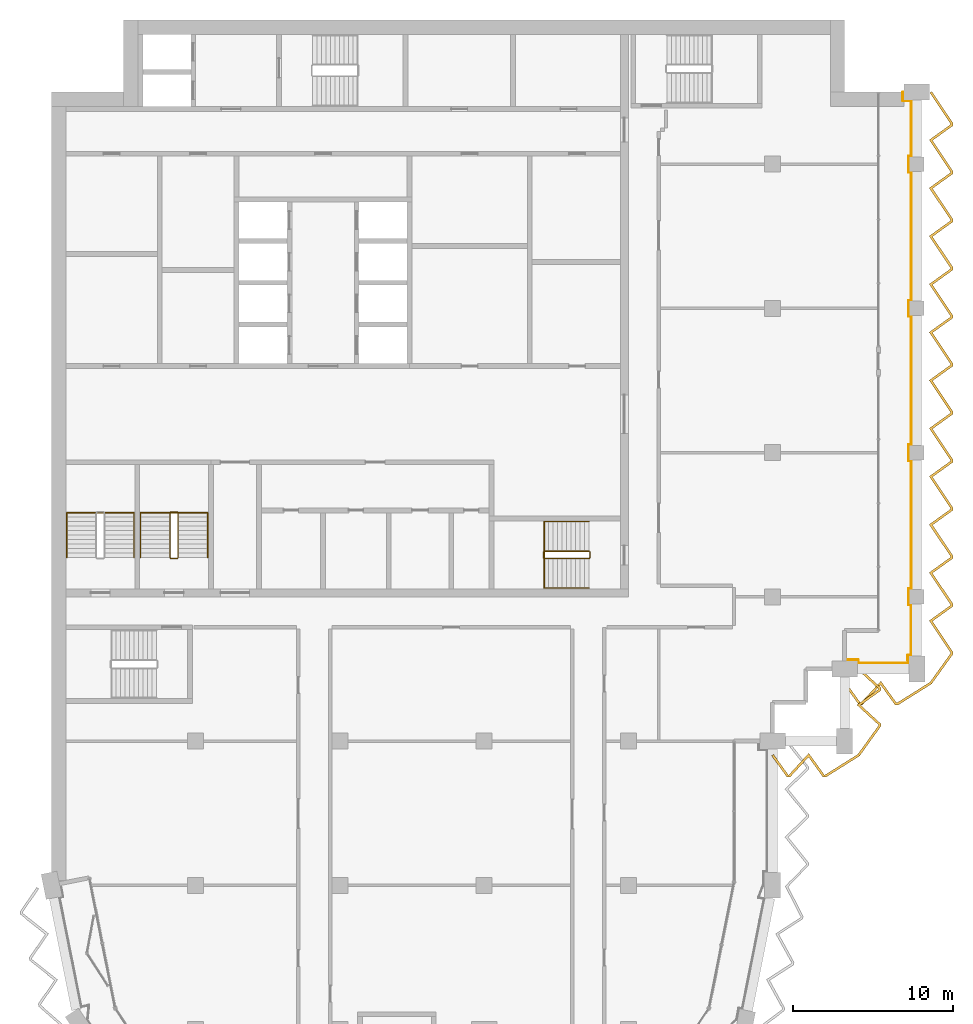
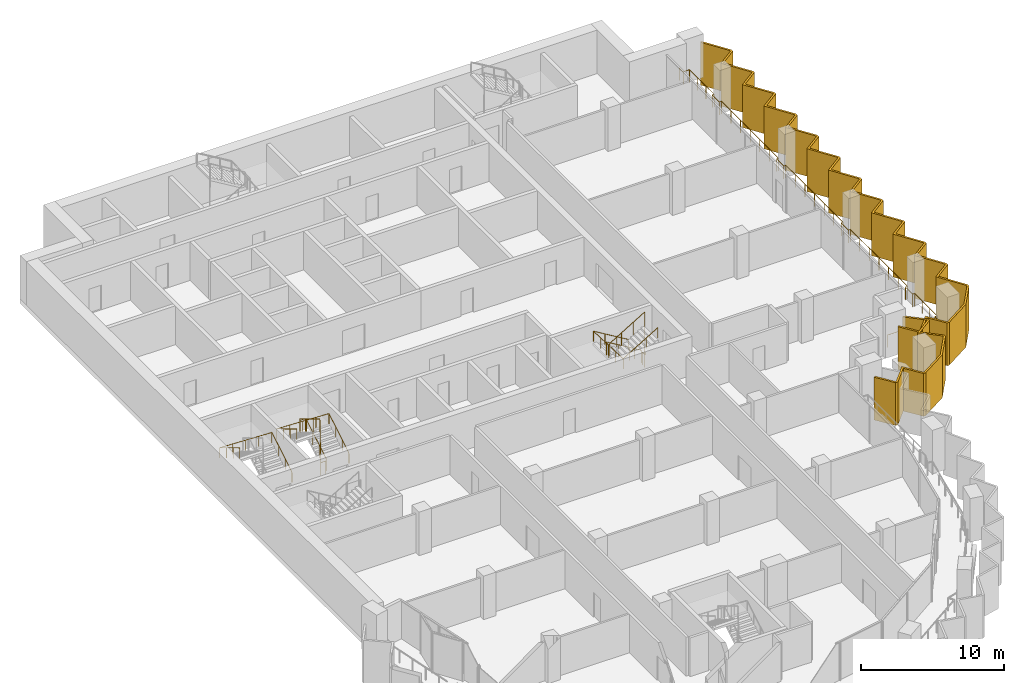
# One storey, part 16 of 17: 6 railings, 2 shading devices.
"""IFC4 building model written with IfcOpenShell, lengths in metres."""

from ifc_helpers import new_model, si_unit, direction, frame, origin, origin_2d, place, context, subcontext, project, spatial, polyline, circle, outline, extrude, material, layer, layer_set, type_object, element, save


model = new_model("IFC4")

# Units and contexts
model_context = context("Model", 3, precision=1e-05, world=origin(), true_north=direction((0.0, 1.0)))
body_context = subcontext(model_context, "Body", "Model", "MODEL_VIEW")
ifc_project = project(units=[si_unit("LENGTHUNIT", "METRE"), si_unit("AREAUNIT", "SQUARE_METRE"), si_unit("VOLUMEUNIT", "CUBIC_METRE"), si_unit("PLANEANGLEUNIT", "RADIAN"), si_unit("MASSUNIT", "GRAM", prefix="KILO")], contexts=[model_context])

# Site, building, storey
site_placement = place(None, origin())
site = spatial("IfcSite", under=ifc_project, at=site_placement, CompositionType="ELEMENT")
building_placement = place(site_placement, origin())
building = spatial("IfcBuilding", under=site, at=building_placement, Name="Hunhe Ridgeline Campus", CompositionType="ELEMENT")
storey_placement = place(building_placement, frame((0.0, 0.0, 268.800048828125)))
storey = spatial("IfcBuildingStorey", under=building, at=storey_placement, Name="L69", CompositionType="ELEMENT", Elevation=268.800048828125)

# Railing
ifc_material_1 = material(Name="Steel Q355", Category="steel")
railing_type_1 = type_object("IfcRailingType", Name="Loggia guard 1100 Steel Q355", PredefinedType="GUARDRAIL", material=ifc_material_1)
railing_1_placement = place(storey_placement, frame((49.5, 59.070068359375, 0.0)))
element("IfcRailing", 1, at=railing_1_placement, inside=storey, type_object=railing_type_1, Name="Loggia guard 2", PredefinedType="GUARDRAIL", context=body_context, shape_type="SweptSolid", body=[
    extrude(circle(Radius=0.02392578125, at=origin_2d()), frame((0.0, 0.0, 1.076171875), z_axis=(1.0, 0.0, 0.0), x_axis=(0.0, 1.0, 0.0)), (0.0, 0.0, 1.0), 0.85009765625),
    extrude(circle(Radius=0.02392578125, at=origin_2d()), frame((0.85009765625, 0.0, 1.076171875), z_axis=(0.0, -1.0, 0.0), x_axis=(1.0, 0.0, 0.0)), (0.0, 0.0, 1.0), 0.219970703125),
    extrude(circle(Radius=0.02392578125, at=origin_2d()), frame((0.85009765625, -0.219970703125, 1.076171875), z_axis=(1.0, 0.0, 0.0), x_axis=(0.0, 1.0, 0.0)), (0.0, 0.0, 1.0), 3.099853515625),
    extrude(circle(Radius=0.02392578125, at=origin_2d()), frame((3.949951171875, -0.219970703125, 1.076171875), z_axis=(0.0, 1.0, 0.0), x_axis=(-1.0, 0.0, 0.0)), (0.0, 0.0, 1.0), 0.52001953125),
    extrude(circle(Radius=0.02392578125, at=origin_2d()), frame((3.949951171875, 0.300048828125, 1.076171875), z_axis=(-0.066572895244, -0.99778156408, 0.0), x_axis=(0.99778156408, -0.066572895244, 0.0)), (0.0, 0.0, 1.0), 0.30078125),
    extrude(circle(Radius=0.02392578125, at=origin_2d()), frame((3.929931640625, 0.0, 1.076171875), z_axis=(0.0, 1.0, 0.0), x_axis=(-1.0, 0.0, 0.0)), (0.0, 0.0, 1.0), 0.280029296875),
    extrude(circle(Radius=0.02392578125, at=origin_2d()), frame((3.929931640625, 0.280029296875, 1.076171875), z_axis=(1.0, 0.0, 0.0), x_axis=(0.0, 1.0, 0.0)), (0.0, 0.0, 1.0), 0.219970703125),
    extrude(circle(Radius=0.02392578125, at=origin_2d()), frame((4.14990234375, 0.280029296875, 1.076171875), z_axis=(0.0, 1.0, 0.0), x_axis=(-1.0, 0.0, 0.0)), (0.0, 0.0, 1.0), 3.14990234375),
    extrude(circle(Radius=0.02392578125, at=origin_2d()), frame((4.14990234375, 3.429931640625, 1.076171875), z_axis=(-1.0, 0.0, 0.0), x_axis=(0.0, -1.0, 0.0)), (0.0, 0.0, 1.0), 0.169921875),
    extrude(circle(Radius=0.02392578125, at=origin_2d()), frame((3.97998046875, 3.429931640625, 1.076171875), z_axis=(0.0, 1.0, 0.0), x_axis=(-1.0, 0.0, 0.0)), (0.0, 0.0, 1.0), 1.0),
    extrude(circle(Radius=0.02392578125, at=origin_2d()), frame((3.97998046875, 4.429931640625, 1.076171875), z_axis=(1.0, 0.0, 0.0), x_axis=(0.0, 1.0, 0.0)), (0.0, 0.0, 1.0), 0.169921875),
    extrude(circle(Radius=0.02392578125, at=origin_2d()), frame((4.14990234375, 4.429931640625, 1.076171875), z_axis=(0.0, 1.0, 0.0), x_axis=(-1.0, 0.0, 0.0)), (0.0, 0.0, 1.0), 8.0),
    extrude(circle(Radius=0.02392578125, at=origin_2d()), frame((4.14990234375, 12.429931640625, 1.076171875), z_axis=(-1.0, 0.0, 0.0), x_axis=(0.0, -1.0, 0.0)), (0.0, 0.0, 1.0), 0.169921875),
    extrude(circle(Radius=0.02392578125, at=origin_2d()), frame((3.97998046875, 12.429931640625, 1.076171875), z_axis=(0.0, 1.0, 0.0), x_axis=(-1.0, 0.0, 0.0)), (0.0, 0.0, 1.0), 1.0),
    extrude(circle(Radius=0.02392578125, at=origin_2d()), frame((3.97998046875, 13.429931640625, 1.076171875), z_axis=(1.0, 0.0, 0.0), x_axis=(0.0, 1.0, 0.0)), (0.0, 0.0, 1.0), 0.169921875),
    extrude(circle(Radius=0.02392578125, at=origin_2d()), frame((4.14990234375, 13.429931640625, 1.076171875), z_axis=(0.0, 1.0, 0.0), x_axis=(-1.0, 0.0, 0.0)), (0.0, 0.0, 1.0), 8.0),
    extrude(circle(Radius=0.02392578125, at=origin_2d()), frame((4.14990234375, 21.429931640625, 1.076171875), z_axis=(-1.0, 0.0, 0.0), x_axis=(0.0, -1.0, 0.0)), (0.0, 0.0, 1.0), 0.169921875),
    extrude(circle(Radius=0.02392578125, at=origin_2d()), frame((3.97998046875, 21.429931640625, 1.076171875), z_axis=(0.0, 1.0, 0.0), x_axis=(-1.0, 0.0, 0.0)), (0.0, 0.0, 1.0), 1.0),
    extrude(circle(Radius=0.02392578125, at=origin_2d()), frame((3.97998046875, 22.429931640625, 1.076171875), z_axis=(1.0, 0.0, 0.0), x_axis=(0.0, 1.0, 0.0)), (0.0, 0.0, 1.0), 0.169921875),
    extrude(circle(Radius=0.02392578125, at=origin_2d()), frame((4.14990234375, 22.429931640625, 1.076171875), z_axis=(0.0, 1.0, 0.0), x_axis=(-1.0, 0.0, 0.0)), (0.0, 0.0, 1.0), 8.0),
    extrude(circle(Radius=0.02392578125, at=origin_2d()), frame((4.14990234375, 30.429931640625, 1.076171875), z_axis=(-1.0, 0.0, 0.0), x_axis=(0.0, -1.0, 0.0)), (0.0, 0.0, 1.0), 0.169921875),
    extrude(circle(Radius=0.02392578125, at=origin_2d()), frame((3.97998046875, 30.429931640625, 1.076171875), z_axis=(0.0, 1.0, 0.0), x_axis=(-1.0, 0.0, 0.0)), (0.0, 0.0, 1.0), 1.0),
    extrude(circle(Radius=0.02392578125, at=origin_2d()), frame((3.97998046875, 31.429931640625, 1.076171875), z_axis=(1.0, 0.0, 0.0), x_axis=(0.0, 1.0, 0.0)), (0.0, 0.0, 1.0), 0.169921875),
    extrude(circle(Radius=0.02392578125, at=origin_2d()), frame((4.14990234375, 31.429931640625, 1.076171875), z_axis=(0.0, 1.0, 0.0), x_axis=(-1.0, 0.0, 0.0)), (0.0, 0.0, 1.0), 3.449951171875),
    extrude(circle(Radius=0.02392578125, at=origin_2d()), frame((4.14990234375, 34.8798828125, 1.076171875), z_axis=(-1.0, 0.0, 0.0), x_axis=(0.0, -1.0, 0.0)), (0.0, 0.0, 1.0), 0.52001953125),
    extrude(circle(Radius=0.02392578125, at=origin_2d()), frame((3.6298828125, 34.8798828125, 1.076171875), z_axis=(0.0, 1.0, 0.0), x_axis=(-1.0, 0.0, 0.0)), (0.0, 0.0, 1.0), 0.550048828125),
    extrude(circle(Radius=0.02099609375, at=origin_2d()), origin(), (0.0, 0.0, 1.0), 1.052001953125),
    extrude(circle(Radius=0.02099609375, at=origin_2d()), frame((0.85009765625, 0.0, 0.0)), (0.0, 0.0, 1.0), 1.052001953125),
    extrude(circle(Radius=0.02099609375, at=origin_2d()), frame((0.85009765625, -0.219970703125, 0.0)), (0.0, 0.0, 1.0), 1.052001953125),
    extrude(circle(Radius=0.02099609375, at=origin_2d()), frame((1.88330078125, -0.219970703125, 0.0)), (0.0, 0.0, 1.0), 1.052001953125),
    extrude(circle(Radius=0.02099609375, at=origin_2d()), frame((2.916748046875, -0.219970703125, 0.0)), (0.0, 0.0, 1.0), 1.052001953125),
    extrude(circle(Radius=0.02099609375, at=origin_2d()), frame((3.949951171875, -0.219970703125, 0.0)), (0.0, 0.0, 1.0), 1.052001953125),
    extrude(circle(Radius=0.02099609375, at=origin_2d()), frame((3.949951171875, 0.300048828125, 0.0)), (0.0, 0.0, 1.0), 1.052001953125),
    extrude(circle(Radius=0.02099609375, at=origin_2d()), frame((3.929931640625, 0.0, 0.0)), (0.0, 0.0, 1.0), 1.052001953125),
    extrude(circle(Radius=0.02099609375, at=origin_2d()), frame((3.929931640625, 0.280029296875, 0.0)), (0.0, 0.0, 1.0), 1.052001953125),
    extrude(circle(Radius=0.02099609375, at=origin_2d()), frame((4.14990234375, 0.280029296875, 0.0)), (0.0, 0.0, 1.0), 1.052001953125),
    extrude(circle(Radius=0.02099609375, at=origin_2d()), frame((4.14990234375, 1.330078125, 0.0)), (0.0, 0.0, 1.0), 1.052001953125),
    extrude(circle(Radius=0.02099609375, at=origin_2d()), frame((4.14990234375, 2.3798828125, 0.0)), (0.0, 0.0, 1.0), 1.052001953125),
    extrude(circle(Radius=0.02099609375, at=origin_2d()), frame((4.14990234375, 3.429931640625, 0.0)), (0.0, 0.0, 1.0), 1.052001953125),
    extrude(circle(Radius=0.02099609375, at=origin_2d()), frame((3.97998046875, 3.429931640625, 0.0)), (0.0, 0.0, 1.0), 1.052001953125),
    extrude(circle(Radius=0.02099609375, at=origin_2d()), frame((3.97998046875, 4.429931640625, 0.0)), (0.0, 0.0, 1.0), 1.052001953125),
    extrude(circle(Radius=0.02099609375, at=origin_2d()), frame((4.14990234375, 4.429931640625, 0.0)), (0.0, 0.0, 1.0), 1.052001953125),
    extrude(circle(Radius=0.02099609375, at=origin_2d()), frame((4.14990234375, 5.76318359375, 0.0)), (0.0, 0.0, 1.0), 1.052001953125),
    extrude(circle(Radius=0.02099609375, at=origin_2d()), frame((4.14990234375, 7.0966796875, 0.0)), (0.0, 0.0, 1.0), 1.052001953125),
    extrude(circle(Radius=0.02099609375, at=origin_2d()), frame((4.14990234375, 8.429931640625, 0.0)), (0.0, 0.0, 1.0), 1.052001953125),
    extrude(circle(Radius=0.02099609375, at=origin_2d()), frame((4.14990234375, 9.76318359375, 0.0)), (0.0, 0.0, 1.0), 1.052001953125),
    extrude(circle(Radius=0.02099609375, at=origin_2d()), frame((4.14990234375, 11.0966796875, 0.0)), (0.0, 0.0, 1.0), 1.052001953125),
    extrude(circle(Radius=0.02099609375, at=origin_2d()), frame((4.14990234375, 12.429931640625, 0.0)), (0.0, 0.0, 1.0), 1.052001953125),
    extrude(circle(Radius=0.02099609375, at=origin_2d()), frame((3.97998046875, 12.429931640625, 0.0)), (0.0, 0.0, 1.0), 1.052001953125),
    extrude(circle(Radius=0.02099609375, at=origin_2d()), frame((3.97998046875, 13.429931640625, 0.0)), (0.0, 0.0, 1.0), 1.052001953125),
    extrude(circle(Radius=0.02099609375, at=origin_2d()), frame((4.14990234375, 13.429931640625, 0.0)), (0.0, 0.0, 1.0), 1.052001953125),
    extrude(circle(Radius=0.02099609375, at=origin_2d()), frame((4.14990234375, 14.76318359375, 0.0)), (0.0, 0.0, 1.0), 1.052001953125),
    extrude(circle(Radius=0.02099609375, at=origin_2d()), frame((4.14990234375, 16.0966796875, 0.0)), (0.0, 0.0, 1.0), 1.052001953125),
    extrude(circle(Radius=0.02099609375, at=origin_2d()), frame((4.14990234375, 17.429931640625, 0.0)), (0.0, 0.0, 1.0), 1.052001953125),
    extrude(circle(Radius=0.02099609375, at=origin_2d()), frame((4.14990234375, 18.76318359375, 0.0)), (0.0, 0.0, 1.0), 1.052001953125),
    extrude(circle(Radius=0.02099609375, at=origin_2d()), frame((4.14990234375, 20.0966796875, 0.0)), (0.0, 0.0, 1.0), 1.052001953125),
    extrude(circle(Radius=0.02099609375, at=origin_2d()), frame((4.14990234375, 21.429931640625, 0.0)), (0.0, 0.0, 1.0), 1.052001953125),
    extrude(circle(Radius=0.02099609375, at=origin_2d()), frame((3.97998046875, 21.429931640625, 0.0)), (0.0, 0.0, 1.0), 1.052001953125),
    extrude(circle(Radius=0.02099609375, at=origin_2d()), frame((3.97998046875, 22.429931640625, 0.0)), (0.0, 0.0, 1.0), 1.052001953125),
    extrude(circle(Radius=0.02099609375, at=origin_2d()), frame((4.14990234375, 22.429931640625, 0.0)), (0.0, 0.0, 1.0), 1.052001953125),
    extrude(circle(Radius=0.02099609375, at=origin_2d()), frame((4.14990234375, 23.76318359375, 0.0)), (0.0, 0.0, 1.0), 1.052001953125),
    extrude(circle(Radius=0.02099609375, at=origin_2d()), frame((4.14990234375, 25.0966796875, 0.0)), (0.0, 0.0, 1.0), 1.052001953125),
    extrude(circle(Radius=0.02099609375, at=origin_2d()), frame((4.14990234375, 26.429931640625, 0.0)), (0.0, 0.0, 1.0), 1.052001953125),
    extrude(circle(Radius=0.02099609375, at=origin_2d()), frame((4.14990234375, 27.76318359375, 0.0)), (0.0, 0.0, 1.0), 1.052001953125),
    extrude(circle(Radius=0.02099609375, at=origin_2d()), frame((4.14990234375, 29.0966796875, 0.0)), (0.0, 0.0, 1.0), 1.052001953125),
    extrude(circle(Radius=0.02099609375, at=origin_2d()), frame((4.14990234375, 30.429931640625, 0.0)), (0.0, 0.0, 1.0), 1.052001953125),
    extrude(circle(Radius=0.02099609375, at=origin_2d()), frame((3.97998046875, 30.429931640625, 0.0)), (0.0, 0.0, 1.0), 1.052001953125),
    extrude(circle(Radius=0.02099609375, at=origin_2d()), frame((3.97998046875, 31.429931640625, 0.0)), (0.0, 0.0, 1.0), 1.052001953125),
    extrude(circle(Radius=0.02099609375, at=origin_2d()), frame((4.14990234375, 31.429931640625, 0.0)), (0.0, 0.0, 1.0), 1.052001953125),
    extrude(circle(Radius=0.02099609375, at=origin_2d()), frame((4.14990234375, 32.579833984375, 0.0)), (0.0, 0.0, 1.0), 1.052001953125),
    extrude(circle(Radius=0.02099609375, at=origin_2d()), frame((4.14990234375, 33.72998046875, 0.0)), (0.0, 0.0, 1.0), 1.052001953125),
    extrude(circle(Radius=0.02099609375, at=origin_2d()), frame((4.14990234375, 34.8798828125, 0.0)), (0.0, 0.0, 1.0), 1.052001953125),
    extrude(circle(Radius=0.02099609375, at=origin_2d()), frame((3.6298828125, 34.8798828125, 0.0)), (0.0, 0.0, 1.0), 1.052001953125),
    extrude(circle(Radius=0.02099609375, at=origin_2d()), frame((3.6298828125, 35.429931640625, 0.0)), (0.0, 0.0, 1.0), 1.052001953125),
])

# Shading devices
ifc_material_2 = material(Name="Concrete C50", Category="concrete")
ifc_layer = layer(ifc_material_2, 0.14990234375)
ifc_layer_set = layer_set([ifc_layer], Name="Sawtooth concrete fin 150 Concrete C50")
shading_device_type = type_object("IfcShadingDeviceType", Name="Sawtooth concrete fin 150 Concrete C50", PredefinedType="USERDEFINED", material=ifc_layer_set)
shading_device_1_placement = place(storey_placement, frame((0.0, 0.0, -0.949951171875)))
element("IfcShadingDevice", 2, at=shading_device_1_placement, inside=storey, type_object=shading_device_type, Name="Concrete fin screen 2", ObjectType="FIN", PredefinedType="USERDEFINED", context=body_context, shape_type="SweptSolid", body=[
    extrude(outline(polyline([(45.060791015625, 53.168701171875), (44.939208984375, 53.081298828125), (45.896484375, 51.75), (46.087890625, 51.75), (47.242919921875, 53.00634765625), (48.146484375, 51.75), (48.32666015625, 51.75), (50.42724609375, 53.0693359375), (51.75, 54.910888671875), (51.75, 55.087890625), (50.49365234375, 56.242919921875), (51.75, 57.146484375), (51.75, 57.337890625), (50.42578125, 58.55517578125), (50.32421875, 58.44482421875), (51.60009765625, 57.27197265625), (51.60009765625, 57.223388671875), (50.25634765625, 56.257080078125), (51.60009765625, 55.02197265625), (51.60009765625, 54.959228515625), (50.32275390625, 53.1806640625), (48.283447265625, 51.89990234375), (48.223388671875, 51.89990234375), (47.257080078125, 53.24365234375), (46.02197265625, 51.89990234375), (45.973388671875, 51.89990234375), (45.060791015625, 53.168701171875)])), origin(), (0.0, 0.0, 1.0), 3.64990234375),
])
shading_device_2_placement = place(storey_placement, frame((0.0, 0.0, -0.949951171875)))
element("IfcShadingDevice", 3, at=shading_device_2_placement, inside=storey, type_object=shading_device_type, Name="Concrete fin screen 3", ObjectType="FIN", PredefinedType="USERDEFINED", context=body_context, shape_type="SweptSolid", body=[
    extrude(outline(polyline([(49.560791015625, 57.668701171875), (49.439208984375, 57.581298828125), (50.396484375, 56.25), (50.587890625, 56.25), (51.742919921875, 57.50634765625), (52.646484375, 56.25), (52.82666015625, 56.25), (54.92724609375, 57.5693359375), (56.25, 59.410888671875), (56.25, 59.577880859375), (54.9775390625, 61.4814453125), (56.25, 62.396484375), (56.25, 62.577880859375), (54.9775390625, 64.4814453125), (56.25, 65.396484375), (56.25, 65.577880859375), (54.9775390625, 67.4814453125), (56.25, 68.396484375), (56.25, 68.577880859375), (54.9775390625, 70.4814453125), (56.25, 71.396484375), (56.25, 71.577880859375), (54.9775390625, 73.4814453125), (56.25, 74.396484375), (56.25, 74.577880859375), (54.9775390625, 76.4814453125), (56.25, 77.396484375), (56.25, 77.577880859375), (54.9775390625, 79.4814453125), (56.25, 80.396484375), (56.25, 80.577880859375), (54.9775390625, 82.4814453125), (56.25, 83.396484375), (56.25, 83.577880859375), (54.9775390625, 85.4814453125), (56.25, 86.396484375), (56.25, 86.577880859375), (54.9775390625, 88.4814453125), (56.25, 89.396484375), (56.25, 89.577880859375), (54.9775390625, 91.4814453125), (56.25, 92.396484375), (56.25, 92.577880859375), (54.937255859375, 94.541748046875), (54.812744140625, 94.458251953125), (56.10009765625, 92.5322265625), (56.10009765625, 92.473388671875), (54.7724609375, 91.5185546875), (56.10009765625, 89.5322265625), (56.10009765625, 89.473388671875), (54.7724609375, 88.5185546875), (56.10009765625, 86.5322265625), (56.10009765625, 86.473388671875), (54.7724609375, 85.5185546875), (56.10009765625, 83.5322265625), (56.10009765625, 83.473388671875), (54.7724609375, 82.5185546875), (56.10009765625, 80.5322265625), (56.10009765625, 80.473388671875), (54.7724609375, 79.5185546875), (56.10009765625, 77.5322265625), (56.10009765625, 77.473388671875), (54.7724609375, 76.5185546875), (56.10009765625, 74.5322265625), (56.10009765625, 74.473388671875), (54.7724609375, 73.5185546875), (56.10009765625, 71.5322265625), (56.10009765625, 71.473388671875), (54.7724609375, 70.5185546875), (56.10009765625, 68.5322265625), (56.10009765625, 68.473388671875), (54.7724609375, 67.5185546875), (56.10009765625, 65.5322265625), (56.10009765625, 65.473388671875), (54.7724609375, 64.5185546875), (56.10009765625, 62.5322265625), (56.10009765625, 62.473388671875), (54.7724609375, 61.5185546875), (56.10009765625, 59.5322265625), (56.10009765625, 59.459228515625), (54.82275390625, 57.6806640625), (52.783447265625, 56.39990234375), (52.723388671875, 56.39990234375), (51.757080078125, 57.74365234375), (50.52197265625, 56.39990234375), (50.473388671875, 56.39990234375), (49.560791015625, 57.668701171875)])), origin(), (0.0, 0.0, 1.0), 3.64990234375),
])

# Railings
ifc_material_3 = material(Name="Stainless steel balustrade", Category="steel")
railing_type_2 = type_object("IfcRailingType", Name="Stair guard 1100 stainless", PredefinedType="GUARDRAIL", material=ifc_material_3)
railing_2_placement = place(storey_placement, frame((33.550048828125, 65.85009765625, 0.168212890625)))
element("IfcRailing", 4, at=railing_2_placement, inside=storey, type_object=railing_type_2, Name="L69 stair S2 guard", PredefinedType="GUARDRAIL", context=body_context, shape_type="SweptSolid", body=[
    extrude(circle(Radius=0.02392578125, at=origin_2d()), frame((0.0, 0.0, 1.076171875), z_axis=(-0.857275202839, 0.0, 0.514858452973), x_axis=(0.0, -1.0, 0.0)), (0.0, 0.0, 1.0), 3.26611328125),
    extrude(circle(Radius=0.02392578125, at=origin_2d()), frame((-2.800048828125, 0.0, 2.7578125), z_axis=(-0.707106781187, -0.707106781187, 0.0), x_axis=(0.707106781187, -0.707106781187, 0.0)), (0.0, 0.0, 1.0), 0.07080078125),
    extrude(circle(Radius=0.02392578125, at=origin_2d()), frame((-2.85009765625, -0.050048828125, 2.7578125), z_axis=(0.0, -1.0, 0.0), x_axis=(1.0, 0.0, 0.0)), (0.0, 0.0, 1.0), 0.35009765625),
    extrude(circle(Radius=0.02392578125, at=origin_2d()), frame((-2.85009765625, -0.400146484375, 2.7578125), z_axis=(0.274243871929, -0.274243871929, 0.92172696468), x_axis=(0.707106781187, 0.707106781187, 0.0)), (0.0, 0.0, 1.0), 0.1826171875),
    extrude(circle(Radius=0.02392578125, at=origin_2d()), frame((-2.800048828125, -0.4501953125, 2.92578125), z_axis=(0.857242210791, 0.0, 0.514913383045), x_axis=(0.0, 1.0, 0.0)), (0.0, 0.0, 1.0), 3.266357421875),
    extrude(circle(Radius=0.02392578125, at=origin_2d()), frame((0.0, -0.4501953125, 4.60791015625), z_axis=(0.013524414389, 0.013524414389, -0.999817073484), x_axis=(-0.707106781187, 0.707106781187, 0.0)), (0.0, 0.0, 1.0), 3.70068359375),
    extrude(circle(Radius=0.02392578125, at=origin_2d()), frame((0.050048828125, -0.400146484375, 0.90771484375), z_axis=(0.0, 1.0, 0.0), x_axis=(-1.0, 0.0, 0.0)), (0.0, 0.0, 1.0), 0.35009765625),
    extrude(circle(Radius=0.02099609375, at=origin_2d()), origin(), (0.0, 0.0, 1.0), 1.052001953125),
    extrude(circle(Radius=0.02099609375, at=origin_2d()), frame((-0.933349609375, 0.0, 0.560546875)), (0.0, 0.0, 1.0), 1.052001953125),
    extrude(circle(Radius=0.02099609375, at=origin_2d()), frame((-1.86669921875, 0.0, 1.12109375)), (0.0, 0.0, 1.0), 1.052001953125),
    extrude(circle(Radius=0.02099609375, at=origin_2d()), frame((-2.800048828125, 0.0, 1.681640625)), (0.0, 0.0, 1.0), 1.052001953125),
    extrude(circle(Radius=0.02099609375, at=origin_2d()), frame((-2.85009765625, -0.050048828125, 1.681640625)), (0.0, 0.0, 1.0), 1.052001953125),
    extrude(circle(Radius=0.02099609375, at=origin_2d()), frame((-2.85009765625, -0.400146484375, 1.681640625)), (0.0, 0.0, 1.0), 1.052001953125),
    extrude(circle(Radius=0.02099609375, at=origin_2d()), frame((-2.800048828125, -0.4501953125, 1.849853515625)), (0.0, 0.0, 1.0), 1.052001953125),
    extrude(circle(Radius=0.02099609375, at=origin_2d()), frame((-1.86669921875, -0.4501953125, 2.410400390625)), (0.0, 0.0, 1.0), 1.052001953125),
    extrude(circle(Radius=0.02099609375, at=origin_2d()), frame((-0.933349609375, -0.4501953125, 2.97119140625)), (0.0, 0.0, 1.0), 1.052001953125),
    extrude(circle(Radius=0.02099609375, at=origin_2d()), frame((0.0, -0.4501953125, 3.53173828125)), (0.0, 0.0, 1.0), 1.052001953125),
    extrude(circle(Radius=0.02099609375, at=origin_2d()), frame((0.012451171875, -0.437744140625, 2.606689453125)), (0.0, 0.0, 1.0), 1.052001953125),
    extrude(circle(Radius=0.02099609375, at=origin_2d()), frame((0.02490234375, -0.42529296875, 1.681640625)), (0.0, 0.0, 1.0), 1.052001953125),
    extrude(circle(Radius=0.02099609375, at=origin_2d()), frame((0.03759765625, -0.41259765625, 0.7568359375)), (0.0, 0.0, 1.0), 1.052001953125),
    extrude(circle(Radius=0.02099609375, at=origin_2d()), frame((0.050048828125, -0.400146484375, -0.168212890625)), (0.0, 0.0, 1.0), 1.052001953125),
    extrude(circle(Radius=0.02099609375, at=origin_2d()), frame((0.050048828125, -0.050048828125, -0.168212890625)), (0.0, 0.0, 1.0), 1.052001953125),
])
railing_3_placement = place(storey_placement, frame((7.89990234375, 65.449951171875, 0.168212890625)))
element("IfcRailing", 5, at=railing_3_placement, inside=storey, type_object=railing_type_2, Name="L69 stair S4 guard", PredefinedType="GUARDRAIL", context=body_context, shape_type="SweptSolid", body=[
    extrude(circle(Radius=0.02392578125, at=origin_2d()), frame((0.0, 0.0, 1.076171875), z_axis=(0.0, 0.857275202839, 0.514858452973), x_axis=(-1.0, 0.0, 0.0)), (0.0, 0.0, 1.0), 3.26611328125),
    extrude(circle(Radius=0.02392578125, at=origin_2d()), frame((0.0, 2.800048828125, 2.7578125), z_axis=(-0.705375805398, 0.708833529934, 0.0), x_axis=(-0.708833529934, -0.705375805398, 0.0)), (0.0, 0.0, 1.0), 0.070556640625),
    extrude(circle(Radius=0.02392578125, at=origin_2d()), frame((-0.0498046875, 2.85009765625, 2.7578125), z_axis=(-1.0, 0.0, 0.0), x_axis=(0.0, -1.0, 0.0)), (0.0, 0.0, 1.0), 0.400146484375),
    extrude(circle(Radius=0.02392578125, at=origin_2d()), frame((-0.449951171875, 2.85009765625, 2.7578125), z_axis=(-0.274243871929, -0.274243871929, 0.92172696468), x_axis=(0.707106781187, -0.707106781187, 0.0)), (0.0, 0.0, 1.0), 0.1826171875),
    extrude(circle(Radius=0.02392578125, at=origin_2d()), frame((-0.5, 2.800048828125, 2.92578125), z_axis=(0.0, -0.857242210791, 0.514913383045), x_axis=(1.0, 0.0, 0.0)), (0.0, 0.0, 1.0), 3.266357421875),
    extrude(circle(Radius=0.02392578125, at=origin_2d()), frame((-0.5, 0.0, 4.60791015625), z_axis=(0.013524414389, -0.013524414389, -0.999817073484), x_axis=(0.707106781187, 0.707106781187, 0.0)), (0.0, 0.0, 1.0), 3.70068359375),
    extrude(circle(Radius=0.02392578125, at=origin_2d()), frame((-0.449951171875, -0.050048828125, 0.90771484375), z_axis=(1.0, 0.0, 0.0), x_axis=(0.0, 1.0, 0.0)), (0.0, 0.0, 1.0), 0.400146484375),
    extrude(circle(Radius=0.02099609375, at=origin_2d()), origin(), (0.0, 0.0, 1.0), 1.052001953125),
    extrude(circle(Radius=0.02099609375, at=origin_2d()), frame((0.0, 0.933349609375, 0.560546875)), (0.0, 0.0, 1.0), 1.052001953125),
    extrude(circle(Radius=0.02099609375, at=origin_2d()), frame((0.0, 1.86669921875, 1.12109375)), (0.0, 0.0, 1.0), 1.052001953125),
    extrude(circle(Radius=0.02099609375, at=origin_2d()), frame((0.0, 2.800048828125, 1.681640625)), (0.0, 0.0, 1.0), 1.052001953125),
    extrude(circle(Radius=0.02099609375, at=origin_2d()), frame((-0.0498046875, 2.85009765625, 1.681640625)), (0.0, 0.0, 1.0), 1.052001953125),
    extrude(circle(Radius=0.02099609375, at=origin_2d()), frame((-0.449951171875, 2.85009765625, 1.681640625)), (0.0, 0.0, 1.0), 1.052001953125),
    extrude(circle(Radius=0.02099609375, at=origin_2d()), frame((-0.5, 2.800048828125, 1.849853515625)), (0.0, 0.0, 1.0), 1.052001953125),
    extrude(circle(Radius=0.02099609375, at=origin_2d()), frame((-0.5, 1.86669921875, 2.410400390625)), (0.0, 0.0, 1.0), 1.052001953125),
    extrude(circle(Radius=0.02099609375, at=origin_2d()), frame((-0.5, 0.933349609375, 2.97119140625)), (0.0, 0.0, 1.0), 1.052001953125),
    extrude(circle(Radius=0.02099609375, at=origin_2d()), frame((-0.5, 0.0, 3.53173828125)), (0.0, 0.0, 1.0), 1.052001953125),
    extrude(circle(Radius=0.02099609375, at=origin_2d()), frame((-0.487548828125, -0.012451171875, 2.606689453125)), (0.0, 0.0, 1.0), 1.052001953125),
    extrude(circle(Radius=0.02099609375, at=origin_2d()), frame((-0.47509765625, -0.02490234375, 1.681640625)), (0.0, 0.0, 1.0), 1.052001953125),
    extrude(circle(Radius=0.02099609375, at=origin_2d()), frame((-0.46240234375, -0.03759765625, 0.7568359375)), (0.0, 0.0, 1.0), 1.052001953125),
    extrude(circle(Radius=0.02099609375, at=origin_2d()), frame((-0.449951171875, -0.050048828125, -0.168212890625)), (0.0, 0.0, 1.0), 1.052001953125),
    extrude(circle(Radius=0.02099609375, at=origin_2d()), frame((-0.0498046875, -0.050048828125, -0.168212890625)), (0.0, 0.0, 1.0), 1.052001953125),
])
ifc_material_4 = material(Name="Stainless steel handrail", Category="steel")
railing_type_3 = type_object("IfcRailingType", Name="Stair handrail 900 stainless", PredefinedType="HANDRAIL", material=ifc_material_4)
railing_4_placement = place(storey_placement, frame((33.550048828125, 67.699951171875, 0.168212890625)))
element("IfcRailing", 6, at=railing_4_placement, inside=storey, type_object=railing_type_3, Name="L69 stair S2 handrail", PredefinedType="HANDRAIL", context=body_context, shape_type="SweptSolid", body=[
    extrude(circle(Radius=0.02392578125, at=origin_2d()), frame((0.0, 0.0, 0.8759765625), z_axis=(-0.857275202839, 0.0, 0.514858452973), x_axis=(0.0, -1.0, 0.0)), (0.0, 0.0, 1.0), 3.26611328125),
    extrude(circle(Radius=0.02392578125, at=origin_2d()), frame((-2.800048828125, 0.0, 2.5576171875), z_axis=(0.0, -0.99917950104, 0.040500922239), x_axis=(1.0, 0.0, 0.0)), (0.0, 0.0, 1.0), 4.1533203125),
    extrude(circle(Radius=0.02392578125, at=origin_2d()), frame((-2.800048828125, -4.14990234375, 2.7255859375), z_axis=(0.857242210791, 0.0, 0.514913383045), x_axis=(0.0, 1.0, 0.0)), (0.0, 0.0, 1.0), 3.266357421875),
    extrude(circle(Radius=0.02099609375, at=origin_2d()), origin(), (0.0, 0.0, 1.0), 0.851806640625),
    extrude(circle(Radius=0.02099609375, at=origin_2d()), frame((-0.933349609375, 0.0, 0.560546875)), (0.0, 0.0, 1.0), 0.851806640625),
    extrude(circle(Radius=0.02099609375, at=origin_2d()), frame((-1.86669921875, 0.0, 1.12109375)), (0.0, 0.0, 1.0), 0.851806640625),
    extrude(circle(Radius=0.02099609375, at=origin_2d()), frame((-2.800048828125, 0.0, 1.681640625)), (0.0, 0.0, 1.0), 0.851806640625),
    extrude(circle(Radius=0.02099609375, at=origin_2d()), frame((-2.800048828125, -1.03759765625, 1.7236328125)), (0.0, 0.0, 1.0), 0.851806640625),
    extrude(circle(Radius=0.02099609375, at=origin_2d()), frame((-2.800048828125, -2.074951171875, 1.765625)), (0.0, 0.0, 1.0), 0.851806640625),
    extrude(circle(Radius=0.02099609375, at=origin_2d()), frame((-2.800048828125, -3.1123046875, 1.807861328125)), (0.0, 0.0, 1.0), 0.851806640625),
    extrude(circle(Radius=0.02099609375, at=origin_2d()), frame((-2.800048828125, -4.14990234375, 1.849853515625)), (0.0, 0.0, 1.0), 0.851806640625),
    extrude(circle(Radius=0.02099609375, at=origin_2d()), frame((-1.86669921875, -4.14990234375, 2.410400390625)), (0.0, 0.0, 1.0), 0.851806640625),
    extrude(circle(Radius=0.02099609375, at=origin_2d()), frame((-0.933349609375, -4.14990234375, 2.97119140625)), (0.0, 0.0, 1.0), 0.851806640625),
    extrude(circle(Radius=0.02099609375, at=origin_2d()), frame((0.0, -4.14990234375, 3.53173828125)), (0.0, 0.0, 1.0), 0.851806640625),
])
railing_5_placement = place(storey_placement, frame((5.14990234375, 65.449951171875, 0.168212890625)))
element("IfcRailing", 7, at=railing_5_placement, inside=storey, type_object=railing_type_3, Name="L69 stair S3 handrail", PredefinedType="HANDRAIL", context=body_context, shape_type="SweptSolid", body=[
    extrude(circle(Radius=0.02392578125, at=origin_2d()), frame((0.0, 0.0, 0.8759765625), z_axis=(0.0, 0.857275202839, 0.514858452973), x_axis=(-1.0, 0.0, 0.0)), (0.0, 0.0, 1.0), 3.26611328125),
    extrude(circle(Radius=0.02392578125, at=origin_2d()), frame((0.0, 2.800048828125, 2.5576171875), z_axis=(-0.999198916169, 0.0, 0.040019069537), x_axis=(0.0, -1.0, 0.0)), (0.0, 0.0, 1.0), 4.203369140625),
    extrude(circle(Radius=0.02392578125, at=origin_2d()), frame((-4.199951171875, 2.800048828125, 2.7255859375), z_axis=(0.0, -0.857242210791, 0.514913383045), x_axis=(1.0, 0.0, 0.0)), (0.0, 0.0, 1.0), 3.266357421875),
    extrude(circle(Radius=0.02099609375, at=origin_2d()), origin(), (0.0, 0.0, 1.0), 0.851806640625),
    extrude(circle(Radius=0.02099609375, at=origin_2d()), frame((0.0, 0.933349609375, 0.560546875)), (0.0, 0.0, 1.0), 0.851806640625),
    extrude(circle(Radius=0.02099609375, at=origin_2d()), frame((0.0, 1.86669921875, 1.12109375)), (0.0, 0.0, 1.0), 0.851806640625),
    extrude(circle(Radius=0.02099609375, at=origin_2d()), frame((0.0, 2.800048828125, 1.681640625)), (0.0, 0.0, 1.0), 0.851806640625),
    extrude(circle(Radius=0.02099609375, at=origin_2d()), frame((-1.050048828125, 2.800048828125, 1.7236328125)), (0.0, 0.0, 1.0), 0.851806640625),
    extrude(circle(Radius=0.02099609375, at=origin_2d()), frame((-2.10009765625, 2.800048828125, 1.765625)), (0.0, 0.0, 1.0), 0.851806640625),
    extrude(circle(Radius=0.02099609375, at=origin_2d()), frame((-3.14990234375, 2.800048828125, 1.807861328125)), (0.0, 0.0, 1.0), 0.851806640625),
    extrude(circle(Radius=0.02099609375, at=origin_2d()), frame((-4.199951171875, 2.800048828125, 1.849853515625)), (0.0, 0.0, 1.0), 0.851806640625),
    extrude(circle(Radius=0.02099609375, at=origin_2d()), frame((-4.199951171875, 1.86669921875, 2.410400390625)), (0.0, 0.0, 1.0), 0.851806640625),
    extrude(circle(Radius=0.02099609375, at=origin_2d()), frame((-4.199951171875, 0.933349609375, 2.97119140625)), (0.0, 0.0, 1.0), 0.851806640625),
    extrude(circle(Radius=0.02099609375, at=origin_2d()), frame((-4.199951171875, 0.0, 3.53173828125)), (0.0, 0.0, 1.0), 0.851806640625),
])
railing_6_placement = place(storey_placement, frame((9.75, 65.449951171875, 0.168212890625)))
element("IfcRailing", 8, at=railing_6_placement, inside=storey, type_object=railing_type_3, Name="L69 stair S4 handrail", PredefinedType="HANDRAIL", context=body_context, shape_type="SweptSolid", body=[
    extrude(circle(Radius=0.02392578125, at=origin_2d()), frame((0.0, 0.0, 0.8759765625), z_axis=(0.0, 0.857275202839, 0.514858452973), x_axis=(-1.0, 0.0, 0.0)), (0.0, 0.0, 1.0), 3.26611328125),
    extrude(circle(Radius=0.02392578125, at=origin_2d()), frame((0.0, 2.800048828125, 2.5576171875), z_axis=(-0.999198916169, 0.0, 0.040019069537), x_axis=(0.0, -1.0, 0.0)), (0.0, 0.0, 1.0), 4.203369140625),
    extrude(circle(Radius=0.02392578125, at=origin_2d()), frame((-4.199951171875, 2.800048828125, 2.7255859375), z_axis=(0.0, -0.857242210791, 0.514913383045), x_axis=(1.0, 0.0, 0.0)), (0.0, 0.0, 1.0), 3.266357421875),
    extrude(circle(Radius=0.02099609375, at=origin_2d()), origin(), (0.0, 0.0, 1.0), 0.851806640625),
    extrude(circle(Radius=0.02099609375, at=origin_2d()), frame((0.0, 0.933349609375, 0.560546875)), (0.0, 0.0, 1.0), 0.851806640625),
    extrude(circle(Radius=0.02099609375, at=origin_2d()), frame((0.0, 1.86669921875, 1.12109375)), (0.0, 0.0, 1.0), 0.851806640625),
    extrude(circle(Radius=0.02099609375, at=origin_2d()), frame((0.0, 2.800048828125, 1.681640625)), (0.0, 0.0, 1.0), 0.851806640625),
    extrude(circle(Radius=0.02099609375, at=origin_2d()), frame((-1.050048828125, 2.800048828125, 1.7236328125)), (0.0, 0.0, 1.0), 0.851806640625),
    extrude(circle(Radius=0.02099609375, at=origin_2d()), frame((-2.10009765625, 2.800048828125, 1.765625)), (0.0, 0.0, 1.0), 0.851806640625),
    extrude(circle(Radius=0.02099609375, at=origin_2d()), frame((-3.14990234375, 2.800048828125, 1.807861328125)), (0.0, 0.0, 1.0), 0.851806640625),
    extrude(circle(Radius=0.02099609375, at=origin_2d()), frame((-4.199951171875, 2.800048828125, 1.849853515625)), (0.0, 0.0, 1.0), 0.851806640625),
    extrude(circle(Radius=0.02099609375, at=origin_2d()), frame((-4.199951171875, 1.86669921875, 2.410400390625)), (0.0, 0.0, 1.0), 0.851806640625),
    extrude(circle(Radius=0.02099609375, at=origin_2d()), frame((-4.199951171875, 0.933349609375, 2.97119140625)), (0.0, 0.0, 1.0), 0.851806640625),
    extrude(circle(Radius=0.02099609375, at=origin_2d()), frame((-4.199951171875, 0.0, 3.53173828125)), (0.0, 0.0, 1.0), 0.851806640625),
])

save(model, "model.ifc")
